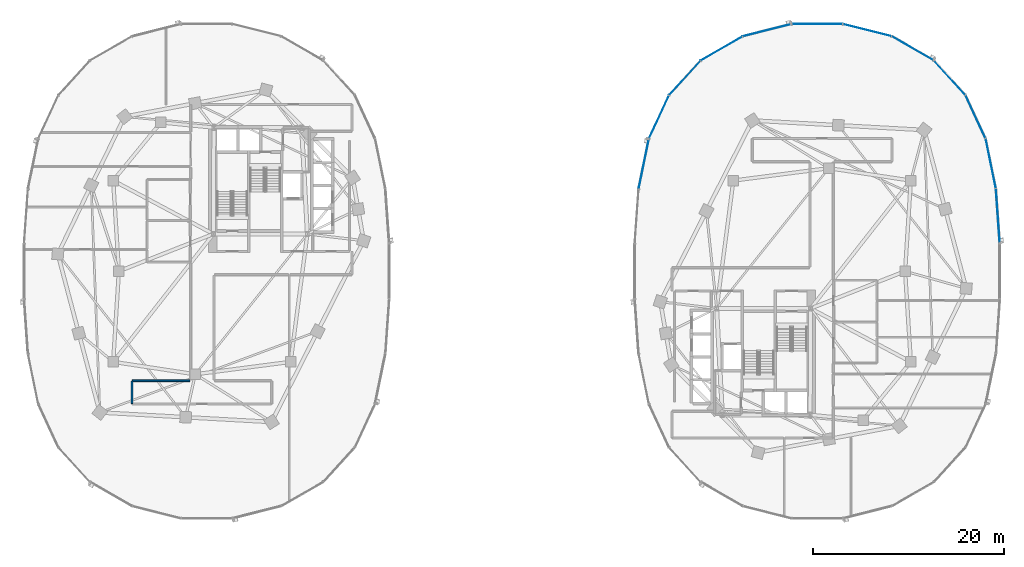
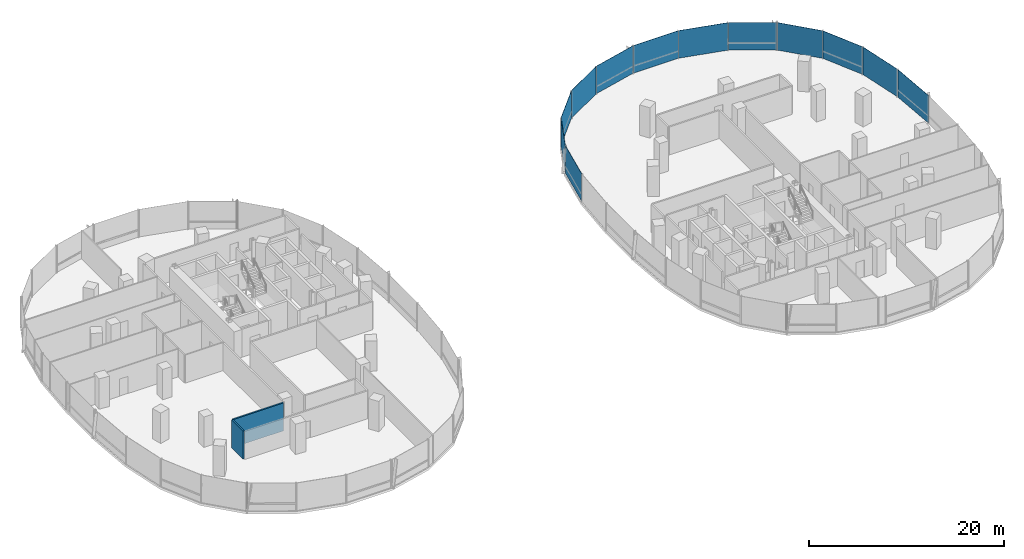
# One storey, part 10 of 21: 12 plates, 2 walls, 2 elements without a shape of their own.
"""IFC4 building model written with IfcOpenShell, lengths in metres."""

from ifc_helpers import new_model, si_unit, direction, frame, frame_2d, origin, origin_2d, place, context, subcontext, project, spatial, rectangle, extrude, material, layer, layer_set, type_object, element, aggregate, save


model = new_model("IFC4")

# Units and contexts
model_context = context("Model", 3, precision=1e-05, world=origin(), true_north=direction((0.0, 1.0)))
body_context = subcontext(model_context, "Body", "Model", "MODEL_VIEW")
ifc_project = project(units=[si_unit("LENGTHUNIT", "METRE"), si_unit("AREAUNIT", "SQUARE_METRE"), si_unit("VOLUMEUNIT", "CUBIC_METRE"), si_unit("PLANEANGLEUNIT", "RADIAN"), si_unit("MASSUNIT", "GRAM", prefix="KILO"), si_unit("THERMODYNAMICTEMPERATUREUNIT", "KELVIN"), si_unit("POWERUNIT", "WATT")], contexts=[model_context])

# Site, building, storey
site_placement = place(None, origin())
site = spatial("IfcSite", under=ifc_project, at=site_placement, CompositionType="ELEMENT")
building_placement = place(site_placement, origin())
building = spatial("IfcBuilding", under=site, at=building_placement, Name="Cundina Bronze Exchange", CompositionType="ELEMENT")
storey_placement = place(building_placement, frame((0.0, 0.0, 31.60009765625)))
storey = spatial("IfcBuildingStorey", under=building, at=storey_placement, Name="L07", CompositionType="ELEMENT", Elevation=31.60009765625)

# Curtain wall, plates
ifc_material_1 = material(Name="Anodised Bronze Aluminium 6063-T6", Category="aluminium")
curtain_wall_type = type_object("IfcCurtainWallType", Name="CWS-TRD-LOW", PredefinedType="NOTDEFINED", material=ifc_material_1)
curtain_wall_1_placement = place(storey_placement, origin())
curtain_wall_1 = element("IfcCurtainWall", 1, at=curtain_wall_1_placement, inside=storey, type_object=curtain_wall_type, Name="L07 CW-02 Curtain Wall Run CWR-L07-E1", PredefinedType="NOTDEFINED")
ifc_material_2 = material(Name="Heat-Strengthened Solar-Control Bronze Safety Glass 28mm", Category="glass")
ifc_layer_1 = layer(ifc_material_2, 0.028076171875, Name="Heat-Strengthened Solar-Control Bronze Safety Glass 28mm", Category="glass")
ifc_layer_set_1 = layer_set([ifc_layer_1], Name="Heat-Strengthened Solar-Control Bronze Safety Glass 28mm")
plate_type_1 = type_object("IfcPlateType", Name="PLT-GLZ-VIS28", PredefinedType="CURTAIN_PANEL", material=ifc_layer_set_1)
plate_1_placement = place(storey_placement, frame((50.9267578125, 5.783935546875, 0.02001953125), z_axis=(0.0, 0.0, 1.0), x_axis=(-0.070278787473, 0.997527389113, 0.0)))
plate_1 = element("IfcPlate", 2, at=plate_1_placement, type_object=plate_type_1, Name="CW-02 Glazed Panel 1", PredefinedType="CURTAIN_PANEL", context=body_context, shape_type="SweptSolid", body=[
    extrude(rectangle(XDim=5.644287109375, YDim=0.028076171875, at=origin_2d()), origin(), (0.0, 0.0, 1.0), 3.4599609375),
])
plate_2_placement = place(storey_placement, frame((50.18408203125, 11.269775390625, 0.02001953125), z_axis=(0.0, 0.0, 1.0), x_axis=(-0.201419845156, 0.979505000486, 0.0)))
plate_2 = element("IfcPlate", 3, at=plate_2_placement, type_object=plate_type_1, Name="CW-02 Glazed Panel 2", PredefinedType="CURTAIN_PANEL", context=body_context, shape_type="SweptSolid", body=[
    extrude(rectangle(XDim=5.306640625, YDim=0.028076171875, at=origin_2d()), origin(), (0.0, 0.0, 1.0), 3.4599609375),
])
plate_3_placement = place(storey_placement, frame((45.8740234375, 20.267333984375, 0.02001953125), z_axis=(0.0, 0.0, 1.0), x_axis=(-0.674276610219, 0.73847887777, 0.0)))
plate_3 = element("IfcPlate", 4, at=plate_3_placement, type_object=plate_type_1, Name="CW-02 Glazed Panel 4", PredefinedType="CURTAIN_PANEL", context=body_context, shape_type="SweptSolid", body=[
    extrude(rectangle(XDim=4.86328125, YDim=0.028076171875, at=origin_2d()), origin(), (0.0, 0.0, 1.0), 3.4599609375),
])
plate_4_placement = place(storey_placement, frame((42.019287109375, 23.34423828125, 0.02001953125), z_axis=(0.0, 0.0, 1.0), x_axis=(-0.867105478933, 0.498124571171, 0.0)))
plate_4 = element("IfcPlate", 5, at=plate_4_placement, type_object=plate_type_1, Name="CW-02 Glazed Panel 5", PredefinedType="CURTAIN_PANEL", context=body_context, shape_type="SweptSolid", body=[
    extrude(rectangle(XDim=5.021240234375, YDim=0.028076171875, at=origin_2d()), origin(), (0.0, 0.0, 1.0), 3.4599609375),
])
plate_5_placement = place(storey_placement, frame((37.255615234375, 25.256591796875, 0.02001953125), z_axis=(0.0, 0.0, 1.0), x_axis=(-0.969488149345, 0.245138182011, 0.0)))
plate_5 = element("IfcPlate", 6, at=plate_5_placement, type_object=plate_type_1, Name="CW-02 Glazed Panel 6", PredefinedType="CURTAIN_PANEL", context=body_context, shape_type="SweptSolid", body=[
    extrude(rectangle(XDim=5.2333984375, YDim=0.028076171875, at=origin_2d()), origin(), (0.0, 0.0, 1.0), 3.4599609375),
])
plate_6_placement = place(storey_placement, frame((32.0, 25.905029296875, 0.02001953125), z_axis=(0.0, 0.0, 1.0), x_axis=(-1.0, 0.0, 0.0)))
plate_6 = element("IfcPlate", 7, at=plate_6_placement, type_object=plate_type_1, Name="CW-02 Glazed Panel 7", PredefinedType="CURTAIN_PANEL", context=body_context, shape_type="SweptSolid", body=[
    extrude(rectangle(XDim=5.323974609375, YDim=0.028076171875, at=origin_2d()), origin(), (0.0, 0.0, 1.0), 3.4599609375),
])

curtain_wall_2_placement = place(storey_placement, origin())
curtain_wall_2 = element("IfcCurtainWall", 8, at=curtain_wall_2_placement, inside=storey, type_object=curtain_wall_type, Name="L07 CW-02 Curtain Wall Run CWR-L07-E2", PredefinedType="NOTDEFINED")
plate_7_placement = place(storey_placement, frame((26.744384765625, 25.256591796875, 0.02001953125), z_axis=(0.0, 0.0, 1.0), x_axis=(-0.969488149345, -0.245138182011, 0.0)))
plate_7 = element("IfcPlate", 9, at=plate_7_placement, type_object=plate_type_1, Name="CW-02 Glazed Panel 1", PredefinedType="CURTAIN_PANEL", context=body_context, shape_type="SweptSolid", body=[
    extrude(rectangle(XDim=5.2333984375, YDim=0.028076171875, at=origin_2d()), origin(), (0.0, 0.0, 1.0), 3.4599609375),
])
plate_8_placement = place(storey_placement, frame((18.1259765625, 20.267333984375, 0.02001953125), z_axis=(0.0, 0.0, 1.0), x_axis=(-0.674276610219, -0.73847887777, 0.0)))
plate_8 = element("IfcPlate", 10, at=plate_8_placement, type_object=plate_type_1, Name="CW-02 Glazed Panel 3", PredefinedType="CURTAIN_PANEL", context=body_context, shape_type="SweptSolid", body=[
    extrude(rectangle(XDim=4.86328125, YDim=0.028076171875, at=origin_2d()), origin(), (0.0, 0.0, 1.0), 3.4599609375),
])
plate_9_placement = place(storey_placement, frame((15.413818359375, 16.177734375, 0.02001953125), z_axis=(0.0, 0.0, 1.0), x_axis=(-0.42084583328, -0.907132175932, 0.0)))
plate_9 = element("IfcPlate", 11, at=plate_9_placement, type_object=plate_type_1, Name="CW-02 Glazed Panel 4", PredefinedType="CURTAIN_PANEL", context=body_context, shape_type="SweptSolid", body=[
    extrude(rectangle(XDim=4.966552734375, YDim=0.028076171875, at=origin_2d()), origin(), (0.0, 0.0, 1.0), 3.4599609375),
])
plate_10_placement = place(storey_placement, frame((13.81591796875, 11.269775390625, 0.02001953125), z_axis=(0.0, 0.0, 1.0), x_axis=(-0.201419845156, -0.979505000486, 0.0)))
plate_10 = element("IfcPlate", 12, at=plate_10_placement, type_object=plate_type_1, Name="CW-02 Glazed Panel 5", PredefinedType="CURTAIN_PANEL", context=body_context, shape_type="SweptSolid", body=[
    extrude(rectangle(XDim=5.306640625, YDim=0.028076171875, at=origin_2d()), origin(), (0.0, 0.0, 1.0), 3.4599609375),
])

# Plate
ifc_material_3 = material(Name="Dark Bronze Spandrel Glass Panel 32mm", Category="glass")
ifc_layer_2 = layer(ifc_material_3, 0.031982421875, Name="Dark Bronze Spandrel Glass Panel 32mm", Category="glass")
ifc_layer_set_2 = layer_set([ifc_layer_2], Name="Dark Bronze Spandrel Glass Panel 32mm")
plate_type_2 = type_object("IfcPlateType", Name="PLT-SPN-BRZ32", PredefinedType="CURTAIN_PANEL", material=ifc_layer_set_2)
plate_11_placement = place(storey_placement, frame((48.586181640625, 16.177734375, 0.02001953125), z_axis=(0.0, 0.0, 1.0), x_axis=(-0.42084583328, 0.907132175932, 0.0)))
plate_11 = element("IfcPlate", 13, at=plate_11_placement, type_object=plate_type_2, Name="CW-02 Glazed Panel 3", PredefinedType="CURTAIN_PANEL", context=body_context, shape_type="SweptSolid", body=[
    extrude(rectangle(XDim=4.966552734375, YDim=0.031982421875, at=origin_2d()), origin(), (0.0, 0.0, 1.0), 3.4599609375),
])

aggregate(curtain_wall_1, [plate_1, plate_2, plate_11, plate_3, plate_4, plate_5, plate_6])

plate_12_placement = place(storey_placement, frame((21.980712890625, 23.34423828125, 0.02001953125), z_axis=(0.0, 0.0, 1.0), x_axis=(-0.867105478933, -0.498124571171, 0.0)))
plate_12 = element("IfcPlate", 14, at=plate_12_placement, type_object=plate_type_2, Name="CW-02 Glazed Panel 2", PredefinedType="CURTAIN_PANEL", context=body_context, shape_type="SweptSolid", body=[
    extrude(rectangle(XDim=5.021240234375, YDim=0.031982421875, at=origin_2d()), origin(), (0.0, 0.0, 1.0), 3.4599609375),
])

aggregate(curtain_wall_2, [plate_7, plate_12, plate_8, plate_9, plate_10])

# Walls
ifc_material_4 = material(Name="Gypsum Fireboard Partition EI120")
ifc_layer_3 = layer(ifc_material_4, 0.179931640625, Name="Gypsum Fireboard Partition EI120")
ifc_layer_set_3 = layer_set([ifc_layer_3], Name="Gypsum Fireboard Partition EI120")
wall_type = type_object("IfcWallType", Name="WL-COR-180", PredefinedType="PARTITIONING", material=ifc_layer_set_3)
wall_1_placement = place(storey_placement, frame((-33.75, -11.47998046875, 0.0), z_axis=(0.0, 0.0, 1.0), x_axis=(-1.0, 0.0, 0.0)))
element("IfcWall", 15, at=wall_1_placement, inside=storey, type_object=wall_type, Name="L07 Interior Partition 024", PredefinedType="PARTITIONING", context=body_context, shape_type="SweptSolid", body=[
    extrude(rectangle(XDim=6.028564453125, YDim=0.179931640625, at=frame_2d((3.01416015625, 0.0))), origin(), (0.0, 0.0, 1.0), 3.5),
])
wall_2_placement = place(storey_placement, frame((-39.820068359375, -11.521484375, 0.0), z_axis=(0.0, 0.0, 1.0), x_axis=(0.0, -1.0, 0.0)))
element("IfcWall", 16, at=wall_2_placement, inside=storey, type_object=wall_type, Name="L07 Interior Partition 026", PredefinedType="PARTITIONING", context=body_context, shape_type="SweptSolid", body=[
    extrude(rectangle(XDim=2.35693359375, YDim=0.179931640625, at=frame_2d((1.178466796875, 0.0))), origin(), (0.0, 0.0, 1.0), 3.5),
])

save(model, "model.ifc")
